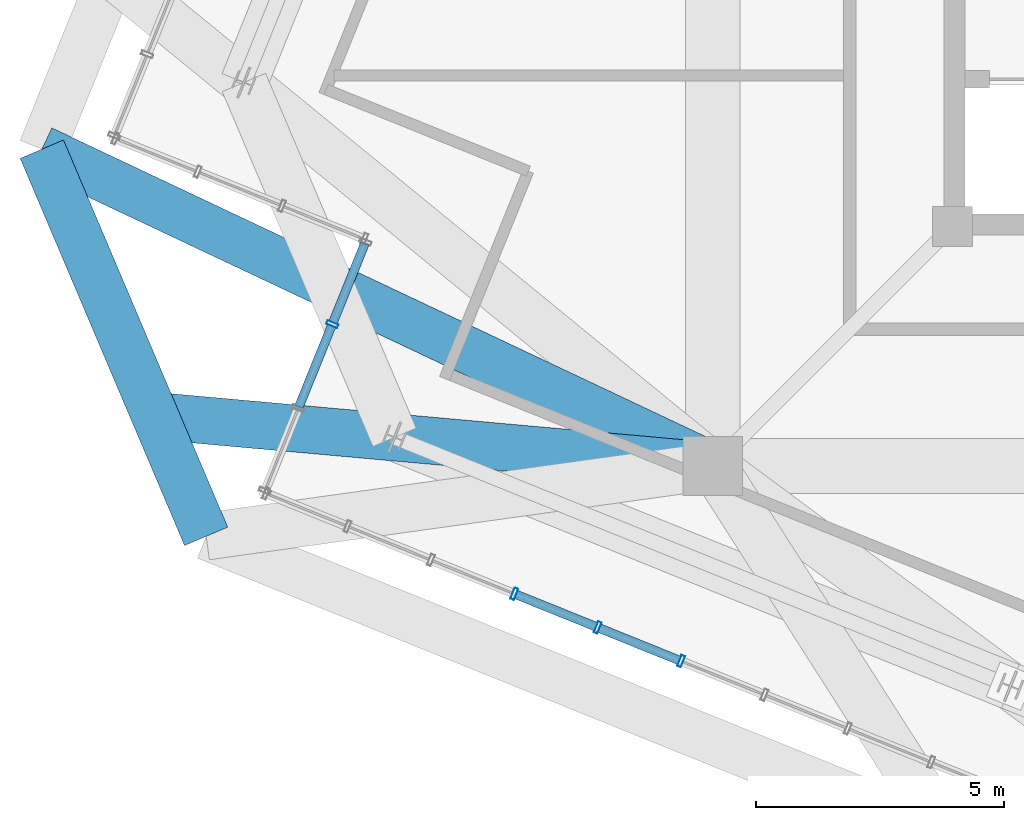
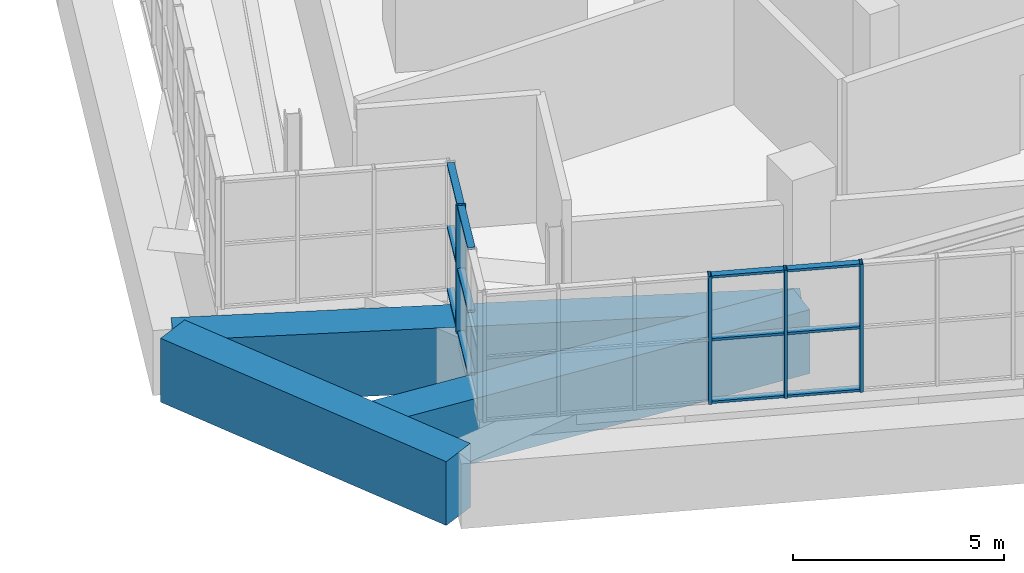
# One storey, part 4 of 35: 16 members, 3 beams, 2 elements without a shape of their own.
"""IFC4 building model written with IfcOpenShell, lengths in metres."""

from ifc_helpers import new_model, si_unit, direction, frame, origin, origin_2d, place, context, subcontext, project, spatial, rectangle, hollow_rectangle, extrude, source, transform, mapped, material, layer, layer_set, material_profile, profile_set, type_object, element, aggregate, save


model = new_model("IFC4")

# Units and contexts
model_context = context("Model", 3, precision=1e-05, world=origin(), true_north=direction((0.0, 1.0)))
body_context = subcontext(model_context, "Body", "Model", "MODEL_VIEW")
ifc_project = project(units=[si_unit("LENGTHUNIT", "METRE"), si_unit("AREAUNIT", "SQUARE_METRE"), si_unit("VOLUMEUNIT", "CUBIC_METRE"), si_unit("PLANEANGLEUNIT", "RADIAN"), si_unit("MASSUNIT", "GRAM", prefix="KILO"), si_unit("THERMODYNAMICTEMPERATUREUNIT", "KELVIN")], contexts=[model_context])

# Site, building, storey
site_placement = place(None, origin())
site = spatial("IfcSite", under=ifc_project, at=site_placement, CompositionType="ELEMENT")
building_placement = place(site_placement, origin())
building = spatial("IfcBuilding", under=site, at=building_placement, Name="Kosmvard Interchange Tower", CompositionType="ELEMENT")
storey_placement = place(building_placement, frame((0.0, 0.0, 321.60009765625)))
storey = spatial("IfcBuildingStorey", under=building, at=storey_placement, Name="L79", CompositionType="ELEMENT", Elevation=321.60009765625)

# Beams
ifc_material_1 = material(Name="Concrete C60/75", Category="concrete")
ifc_material_profile_1 = material_profile(ifc_material_1, rectangle(XDim=0.949951171875, YDim=1.85009765625, at=origin_2d()), Name="TG 950x1850")
ifc_profile_set_1 = profile_set([ifc_material_profile_1], Name="Concrete C60/75")
beam_type_1 = type_object("IfcBeamType", Name="Upper Transfer Ring Girder 950x1850 C60/75", PredefinedType="USERDEFINED", material=ifc_profile_set_1)
shared_shape_1 = source(origin(), body_context, "Body", "SweptSolid", [
    extrude(rectangle(XDim=0.949951171875, YDim=1.85009765625, at=origin_2d()), origin(), (0.0, 0.0, 1.0), 8.4853515625),
])
beam_1_placement = place(storey_placement, frame((-26.61962890625, -6.690185546875, -0.925048828125), z_axis=(0.390725696857, -0.920507159025, 0.0), x_axis=(0.920507159025, 0.390725696857, 0.0)))
element("IfcBeam", 1, at=beam_1_placement, inside=storey, type_object=beam_type_1, Name="BM-L79-LR09", ObjectType="TRANSFER_GIRDER", PredefinedType="USERDEFINED", context=body_context, shape_type="MappedRepresentation", body=[
    mapped(shared_shape_1, transform((0.0, 0.0, 0.0), scale=1.0)),
])
ifc_material_profile_2 = material_profile(ifc_material_1, rectangle(XDim=0.949951171875, YDim=1.8798828125, at=origin_2d()), Name="TG 950x1880")
ifc_profile_set_2 = profile_set([ifc_material_profile_2], Name="Concrete C60/75")
beam_type_2 = type_object("IfcBeamType", Name="Upper Long-Span Transfer Girder 950x1880 C60/75", PredefinedType="USERDEFINED", material=ifc_profile_set_2)
shared_shape_2 = source(origin(), body_context, "Body", "SweptSolid", [
    extrude(rectangle(XDim=0.949951171875, YDim=1.8798828125, at=origin_2d()), origin(), (0.0, 0.0, 1.0), 14.97119140625),
])
beam_2_placement = place(storey_placement, frame((-13.0810546875, -13.0810546875, -0.940185546875), z_axis=(-0.904309155001, 0.426878146761, 0.0), x_axis=(-0.426878146761, -0.904309155001, 0.0)))
element("IfcBeam", 2, at=beam_2_placement, inside=storey, type_object=beam_type_2, Name="BM-L79-LD09", ObjectType="TRANSFER_GIRDER", PredefinedType="USERDEFINED", context=body_context, shape_type="MappedRepresentation", body=[
    mapped(shared_shape_2, transform((0.0, 0.0, 0.0), scale=1.0)),
])
shared_shape_3 = source(origin(), body_context, "Body", "SweptSolid", [
    extrude(rectangle(XDim=0.949951171875, YDim=1.85009765625, at=origin_2d()), origin(), (0.0, 0.0, 1.0), 11.30029296875),
])
beam_3_placement = place(storey_placement, frame((-13.0810546875, -13.0810546875, -0.925048828125), z_axis=(-0.995989854688, 0.089466247034, 0.0), x_axis=(-0.089466247034, -0.995989854688, 0.0)))
element("IfcBeam", 3, at=beam_3_placement, inside=storey, type_object=beam_type_1, Name="BM-L79-RD10", ObjectType="TRANSFER_GIRDER", PredefinedType="USERDEFINED", context=body_context, shape_type="MappedRepresentation", body=[
    mapped(shared_shape_3, transform((0.0, 0.0, 0.0), scale=1.0)),
])

# Curtain wall, member
ifc_material_2 = material(Name="Architectural anodised aluminium", Category="aluminium")
ifc_layer = layer(ifc_material_2, 0.25, Name="Architectural anodised aluminium")
ifc_layer_set = layer_set([ifc_layer], Name="Architectural anodised aluminium")
curtain_wall_type = type_object("IfcCurtainWallType", Name="CW-6 Illuminated Crown Lantern Curtain Wall", PredefinedType="NOTDEFINED", material=ifc_layer_set)
curtain_wall_1_placement = place(storey_placement, origin())
curtain_wall_1 = element("IfcCurtainWall", 4, at=curtain_wall_1_placement, inside=storey, type_object=curtain_wall_type, Name="L79 Crown Lantern Glazing Face 09", PredefinedType="NOTDEFINED")
ifc_material_profile_3 = material_profile(ifc_material_2, hollow_rectangle(XDim=0.239990234375, YDim=0.080078125, WallThickness=0.006103515625, at=origin_2d()), Name="CWM 240x80x6")
ifc_profile_set_3 = profile_set([ifc_material_profile_3], Name="Architectural anodised aluminium")
member_type_1 = type_object("IfcMemberType", Name="Lantern & Observation CW Mullion 240x80 Aluminium", PredefinedType="MULLION", material=ifc_profile_set_3)
shared_shape_4 = source(origin(), body_context, "Body", "SweptSolid", [
    extrude(hollow_rectangle(XDim=0.239990234375, YDim=0.080078125, WallThickness=0.006103515625, at=origin_2d()), origin(), (0.0, 0.0, 1.0), 3.699951171875),
])
member_1_placement = place(storey_placement, frame((-20.760498046875, -10.220458984375, 0.0), z_axis=(0.0, 0.0, 1.0), x_axis=(0.927183891631, -0.374606501678, 0.0)))
member_1 = element("IfcMember", 5, at=member_1_placement, type_object=member_type_1, Name="CW-6 mullion 2", PredefinedType="MULLION", context=body_context, shape_type="MappedRepresentation", body=[
    mapped(shared_shape_4, transform((0.0, 0.0, 0.0), scale=1.0)),
])

# Curtain wall, members
curtain_wall_2_placement = place(storey_placement, origin())
curtain_wall_2 = element("IfcCurtainWall", 6, at=curtain_wall_2_placement, inside=storey, type_object=curtain_wall_type, Name="L79 Crown Lantern Glazing Face 10", PredefinedType="NOTDEFINED")
member_2_placement = place(storey_placement, frame((-17.087890625, -15.658935546875, 0.0), z_axis=(0.0, 0.0, 1.0), x_axis=(0.374606584758, 0.927183858065, 0.0)))
member_2 = element("IfcMember", 7, at=member_2_placement, type_object=member_type_1, Name="CW-6 mullion 4", PredefinedType="MULLION", context=body_context, shape_type="MappedRepresentation", body=[
    mapped(shared_shape_4, transform((0.0, 0.0, 0.0), scale=1.0)),
])
member_3_placement = place(storey_placement, frame((-15.40576171875, -16.338623046875, 0.0), z_axis=(0.0, 0.0, 1.0), x_axis=(0.374606584758, 0.927183858065, 0.0)))
member_3 = element("IfcMember", 8, at=member_3_placement, type_object=member_type_1, Name="CW-6 mullion 5", PredefinedType="MULLION", context=body_context, shape_type="MappedRepresentation", body=[
    mapped(shared_shape_4, transform((0.0, 0.0, 0.0), scale=1.0)),
])
member_4_placement = place(storey_placement, frame((-13.723876953125, -17.01806640625, 0.0), z_axis=(0.0, 0.0, 1.0), x_axis=(0.374606584758, 0.927183858065, 0.0)))
member_4 = element("IfcMember", 9, at=member_4_placement, type_object=member_type_1, Name="CW-6 mullion 6", PredefinedType="MULLION", context=body_context, shape_type="MappedRepresentation", body=[
    mapped(shared_shape_4, transform((0.0, 0.0, 0.0), scale=1.0)),
])
ifc_material_profile_4 = material_profile(ifc_material_2, hollow_rectangle(XDim=0.179931640625, YDim=0.070068359375, WallThickness=0.0048828125, at=origin_2d()), Name="CWT 180x70x5")
ifc_profile_set_4 = profile_set([ifc_material_profile_4], Name="Architectural anodised aluminium")
member_type_2 = type_object("IfcMemberType", Name="Heavy Lantern CW Transom 180x70 Aluminium", PredefinedType="USERDEFINED", material=ifc_profile_set_4)
shared_shape_5 = source(origin(), body_context, "Body", "SweptSolid", [
    extrude(hollow_rectangle(XDim=0.179931640625, YDim=0.070068359375, WallThickness=0.0048828125, at=origin_2d()), origin(), (0.0, 0.0, 1.0), 1.734130859375),
])
member_5_placement = place(storey_placement, frame((-17.05078125, -15.674072265625, 0.034912109375), z_axis=(0.927228675447, -0.374495638732, 0.0), x_axis=(0.374495638732, 0.927228675447, 0.0)))
member_5 = element("IfcMember", 10, at=member_5_placement, type_object=member_type_2, Name="CW-6 transom 4.1", ObjectType="TRANSOM", PredefinedType="USERDEFINED", context=body_context, shape_type="MappedRepresentation", body=[
    mapped(shared_shape_5, transform((0.0, 0.0, 0.0), scale=1.0)),
])
member_6_placement = place(storey_placement, frame((-17.05078125, -15.674072265625, 1.849853515625), z_axis=(0.927228675447, -0.374495638732, 0.0), x_axis=(0.374495638732, 0.927228675447, 0.0)))
member_6 = element("IfcMember", 11, at=member_6_placement, type_object=member_type_2, Name="CW-6 transom 4.2", ObjectType="TRANSOM", PredefinedType="USERDEFINED", context=body_context, shape_type="MappedRepresentation", body=[
    mapped(shared_shape_5, transform((0.0, 0.0, 0.0), scale=1.0)),
])
member_7_placement = place(storey_placement, frame((-17.05078125, -15.674072265625, 3.664794921875), z_axis=(0.927228675447, -0.374495638732, 0.0), x_axis=(0.374495638732, 0.927228675447, 0.0)))
member_7 = element("IfcMember", 12, at=member_7_placement, type_object=member_type_2, Name="CW-6 transom 4.3", ObjectType="TRANSOM", PredefinedType="USERDEFINED", context=body_context, shape_type="MappedRepresentation", body=[
    mapped(shared_shape_5, transform((0.0, 0.0, 0.0), scale=1.0)),
])
member_8_placement = place(storey_placement, frame((-15.368896484375, -16.353515625, 0.034912109375), z_axis=(0.927179782522, -0.374616671924, 0.0), x_axis=(0.374616671924, 0.927179782522, 0.0)))
member_8 = element("IfcMember", 13, at=member_8_placement, type_object=member_type_2, Name="CW-6 transom 5.1", ObjectType="TRANSOM", PredefinedType="USERDEFINED", context=body_context, shape_type="MappedRepresentation", body=[
    mapped(shared_shape_5, transform((0.0, 0.0, 0.0), scale=1.0)),
])
member_9_placement = place(storey_placement, frame((-15.368896484375, -16.353515625, 1.849853515625), z_axis=(0.927179782522, -0.374616671924, 0.0), x_axis=(0.374616671924, 0.927179782522, 0.0)))
member_9 = element("IfcMember", 14, at=member_9_placement, type_object=member_type_2, Name="CW-6 transom 5.2", ObjectType="TRANSOM", PredefinedType="USERDEFINED", context=body_context, shape_type="MappedRepresentation", body=[
    mapped(shared_shape_5, transform((0.0, 0.0, 0.0), scale=1.0)),
])
member_10_placement = place(storey_placement, frame((-15.368896484375, -16.353515625, 3.664794921875), z_axis=(0.927179782522, -0.374616671924, 0.0), x_axis=(0.374616671924, 0.927179782522, 0.0)))
member_10 = element("IfcMember", 15, at=member_10_placement, type_object=member_type_2, Name="CW-6 transom 5.3", ObjectType="TRANSOM", PredefinedType="USERDEFINED", context=body_context, shape_type="MappedRepresentation", body=[
    mapped(shared_shape_5, transform((0.0, 0.0, 0.0), scale=1.0)),
])
aggregate(curtain_wall_2, [member_2, member_3, member_4, member_5, member_6, member_7, member_8, member_9, member_10])

# Member
shared_shape_6 = source(origin(), body_context, "Body", "SweptSolid", [
    extrude(hollow_rectangle(XDim=0.179931640625, YDim=0.070068359375, WallThickness=0.0048828125, at=origin_2d()), origin(), (0.0, 0.0, 1.0), 1.71337890625),
])
member_11_placement = place(storey_placement, frame((-20.103515625, -8.594970703125, 0.034912109375), z_axis=(-0.374606758599, -0.927183787829, 0.0), x_axis=(0.927183787829, -0.374606758599, 0.0)))
member_11 = element("IfcMember", 16, at=member_11_placement, type_object=member_type_2, Name="CW-6 transom 1.1", ObjectType="TRANSOM", PredefinedType="USERDEFINED", context=body_context, shape_type="MappedRepresentation", body=[
    mapped(shared_shape_6, transform((0.0, 0.0, 0.0), scale=1.0)),
])

member_12_placement = place(storey_placement, frame((-20.103515625, -8.594970703125, 1.849853515625), z_axis=(-0.374606758599, -0.927183787829, 0.0), x_axis=(0.927183787829, -0.374606758599, 0.0)))
member_12 = element("IfcMember", 17, at=member_12_placement, type_object=member_type_2, Name="CW-6 transom 1.2", ObjectType="TRANSOM", PredefinedType="USERDEFINED", context=body_context, shape_type="MappedRepresentation", body=[
    mapped(shared_shape_6, transform((0.0, 0.0, 0.0), scale=1.0)),
])

member_13_placement = place(storey_placement, frame((-20.103515625, -8.594970703125, 3.664794921875), z_axis=(-0.374606758599, -0.927183787829, 0.0), x_axis=(0.927183787829, -0.374606758599, 0.0)))
member_13 = element("IfcMember", 18, at=member_13_placement, type_object=member_type_2, Name="CW-6 transom 1.3", ObjectType="TRANSOM", PredefinedType="USERDEFINED", context=body_context, shape_type="MappedRepresentation", body=[
    mapped(shared_shape_6, transform((0.0, 0.0, 0.0), scale=1.0)),
])

shared_shape_7 = source(origin(), body_context, "Body", "SweptSolid", [
    extrude(hollow_rectangle(XDim=0.179931640625, YDim=0.070068359375, WallThickness=0.0048828125, at=origin_2d()), origin(), (0.0, 0.0, 1.0), 1.75341796875),
])
member_14_placement = place(storey_placement, frame((-20.775390625, -10.257568359375, 0.034912109375), z_axis=(-0.37455743912, -0.927203712676, 0.0), x_axis=(0.927203712676, -0.37455743912, 0.0)))
member_14 = element("IfcMember", 19, at=member_14_placement, type_object=member_type_2, Name="CW-6 transom 2.1", ObjectType="TRANSOM", PredefinedType="USERDEFINED", context=body_context, shape_type="MappedRepresentation", body=[
    mapped(shared_shape_7, transform((0.0, 0.0, 0.0), scale=1.0)),
])

member_15_placement = place(storey_placement, frame((-20.775390625, -10.257568359375, 1.849853515625), z_axis=(-0.37455743912, -0.927203712676, 0.0), x_axis=(0.927203712676, -0.37455743912, 0.0)))
member_15 = element("IfcMember", 20, at=member_15_placement, type_object=member_type_2, Name="CW-6 transom 2.2", ObjectType="TRANSOM", PredefinedType="USERDEFINED", context=body_context, shape_type="MappedRepresentation", body=[
    mapped(shared_shape_7, transform((0.0, 0.0, 0.0), scale=1.0)),
])

member_16_placement = place(storey_placement, frame((-20.775390625, -10.257568359375, 3.664794921875), z_axis=(-0.37455743912, -0.927203712676, 0.0), x_axis=(0.927203712676, -0.37455743912, 0.0)))
member_16 = element("IfcMember", 21, at=member_16_placement, type_object=member_type_2, Name="CW-6 transom 2.3", ObjectType="TRANSOM", PredefinedType="USERDEFINED", context=body_context, shape_type="MappedRepresentation", body=[
    mapped(shared_shape_7, transform((0.0, 0.0, 0.0), scale=1.0)),
])

aggregate(curtain_wall_1, [member_1, member_11, member_12, member_13, member_14, member_15, member_16])

save(model, "model.ifc")
